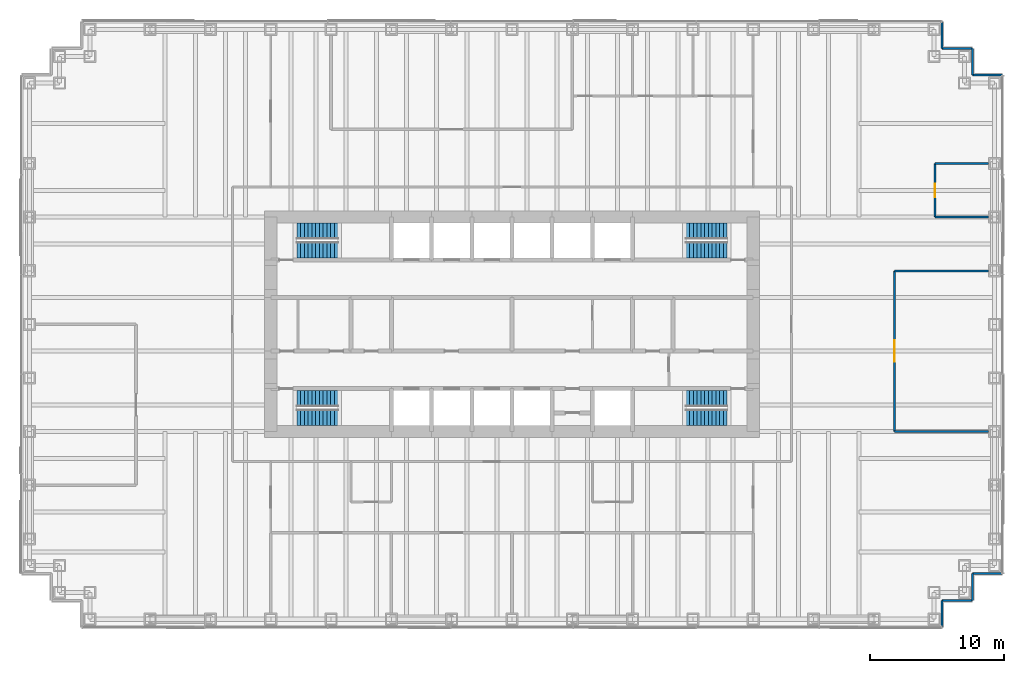
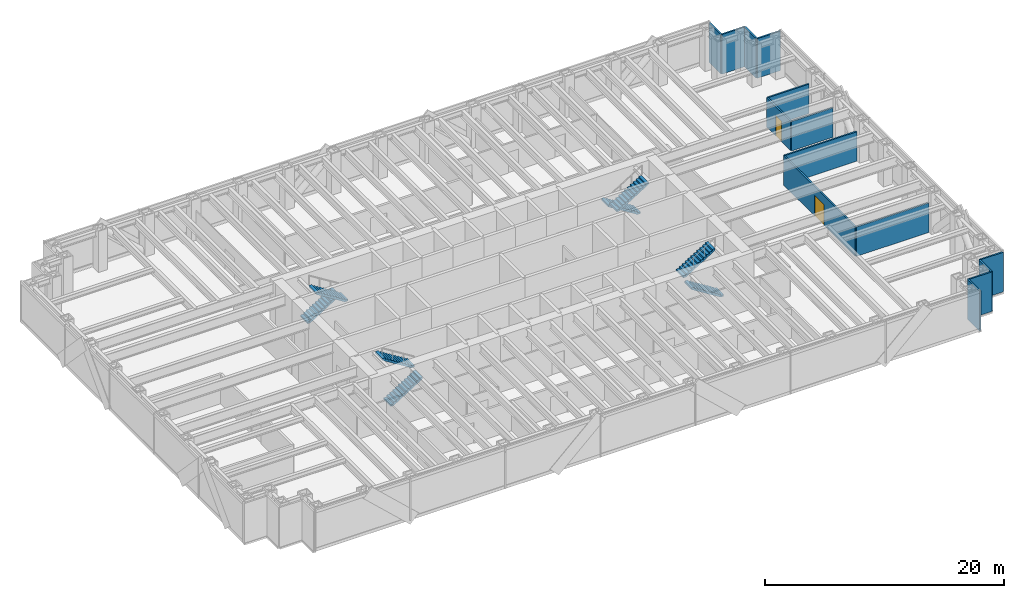
# One storey, part 14 of 15: 14 walls, 8 stair flights, 2 doors, 2 openings, 4 elements without a shape of their own.
"""IFC4 building model written with IfcOpenShell, lengths in metres."""

from ifc_helpers import new_model, si_unit, direction, frame, frame_2d, origin, place, context, subcontext, project, spatial, polyline, rectangle, outline, extrude, material, layer, layer_set, type_object, element, fill, aggregate, save


model = new_model("IFC4")

# Units and contexts
model_context = context("Model", 3, precision=1e-05, world=origin(), true_north=direction((0.0, 1.0)))
body_context = subcontext(model_context, "Body", "Model", "MODEL_VIEW")
ifc_project = project(units=[si_unit("LENGTHUNIT", "METRE"), si_unit("AREAUNIT", "SQUARE_METRE"), si_unit("VOLUMEUNIT", "CUBIC_METRE"), si_unit("PLANEANGLEUNIT", "RADIAN"), si_unit("MASSUNIT", "GRAM", prefix="KILO")], contexts=[model_context])

# Site, building, storey
site_placement = place(None, origin())
site = spatial("IfcSite", under=ifc_project, at=site_placement, CompositionType="ELEMENT")
building_placement = place(site_placement, origin())
building = spatial("IfcBuilding", under=site, at=building_placement, Name="Rheinbord Bourse Tower", CompositionType="ELEMENT")
storey_placement = place(building_placement, frame((0.0, 0.0, 146.699951171875)))
storey = spatial("IfcBuildingStorey", under=building, at=storey_placement, Name="L32", CompositionType="ELEMENT", Elevation=146.699951171875)

# Walls
ifc_material_1 = material(Name="Black metal rainscreen panel", Category="aluminium")
ifc_layer_1 = layer(ifc_material_1, 0.14990234375)
ifc_layer_set_1 = layer_set([ifc_layer_1], Name="CORNER PIER CLADDING 150")
wall_type_1 = type_object("IfcWallType", Name="CORNER PIER CLADDING 150", PredefinedType="ELEMENTEDWALL", material=ifc_layer_set_1)
wall_1_placement = place(storey_placement, frame((68.10009765625, 1.39990234375, 0.0), z_axis=(0.0, 0.0, 1.0), x_axis=(0.0, 1.0, 0.0)))
element("IfcWall", 1, at=wall_1_placement, inside=storey, type_object=wall_type_1, Name="Corner pier cladding L32 2", PredefinedType="ELEMENTEDWALL", context=body_context, shape_type="SweptSolid", body=[
    extrude(rectangle(XDim=2.0, YDim=0.14990234375, at=frame_2d((1.0, 0.0))), origin(), (0.0, 0.0, 1.0), 4.0400390625),
])
wall_2_placement = place(storey_placement, frame((68.10009765625, 3.39990234375, 0.0), z_axis=(0.0, 0.0, 1.0), x_axis=(1.0, 0.0, 0.0)))
element("IfcWall", 2, at=wall_2_placement, inside=storey, type_object=wall_type_1, Name="Corner pier cladding L32 3", PredefinedType="ELEMENTEDWALL", context=body_context, shape_type="SweptSolid", body=[
    extrude(rectangle(XDim=2.25, YDim=0.14990234375, at=frame_2d((1.125, 0.0))), origin(), (0.0, 0.0, 1.0), 4.0400390625),
])
wall_3_placement = place(storey_placement, frame((70.35009765625, 3.39990234375, 0.0), z_axis=(0.0, 0.0, 1.0), x_axis=(0.0, 1.0, 0.0)))
element("IfcWall", 3, at=wall_3_placement, inside=storey, type_object=wall_type_1, Name="Corner pier cladding L32 4", PredefinedType="ELEMENTEDWALL", context=body_context, shape_type="SweptSolid", body=[
    extrude(rectangle(XDim=2.0, YDim=0.14990234375, at=frame_2d((1.0, 0.0))), origin(), (0.0, 0.0, 1.0), 4.0400390625),
])
for number, where, z_axis, x_axis, name in (
    (4, (70.35009765625, 5.39990234375, 0.0), (0.0, 0.0, 1.0), (1.0, 0.0, 0.0), "Corner pier cladding L32 5"),
    (5, (72.60009765625, 42.60009765625, 0.0), (0.0, 0.0, 1.0), (-1.0, 0.0, 0.0), "Corner pier cladding L32 7"),
):
    element("IfcWall", number, at=place(storey_placement, frame(where, z_axis=z_axis, x_axis=x_axis)), inside=storey, type_object=wall_type_1, Name=name, PredefinedType="ELEMENTEDWALL", context=body_context, shape_type="SweptSolid", body=[
        extrude(rectangle(XDim=2.25, YDim=0.14990234375, at=frame_2d((1.125, 0.0))), origin(), (0.0, 0.0, 1.0), 4.0400390625),
    ])
wall_4_placement = place(storey_placement, frame((70.35009765625, 42.60009765625, 0.0), z_axis=(0.0, 0.0, 1.0), x_axis=(0.0, 1.0, 0.0)))
element("IfcWall", 6, at=wall_4_placement, inside=storey, type_object=wall_type_1, Name="Corner pier cladding L32 8", PredefinedType="ELEMENTEDWALL", context=body_context, shape_type="SweptSolid", body=[
    extrude(rectangle(XDim=2.0, YDim=0.14990234375, at=frame_2d((1.0, 0.0))), origin(), (0.0, 0.0, 1.0), 4.0400390625),
])
wall_5_placement = place(storey_placement, frame((70.35009765625, 44.60009765625, 0.0), z_axis=(0.0, 0.0, 1.0), x_axis=(-1.0, 0.0, 0.0)))
element("IfcWall", 7, at=wall_5_placement, inside=storey, type_object=wall_type_1, Name="Corner pier cladding L32 9", PredefinedType="ELEMENTEDWALL", context=body_context, shape_type="SweptSolid", body=[
    extrude(rectangle(XDim=2.25, YDim=0.14990234375, at=frame_2d((1.125, 0.0))), origin(), (0.0, 0.0, 1.0), 4.0400390625),
])
wall_6_placement = place(storey_placement, frame((68.10009765625, 44.60009765625, 0.0), z_axis=(0.0, 0.0, 1.0), x_axis=(0.0, 1.0, 0.0)))
element("IfcWall", 8, at=wall_6_placement, inside=storey, type_object=wall_type_1, Name="Corner pier cladding L32 10", PredefinedType="ELEMENTEDWALL", context=body_context, shape_type="SweptSolid", body=[
    extrude(rectangle(XDim=2.0, YDim=0.14990234375, at=frame_2d((1.0, 0.0))), origin(), (0.0, 0.0, 1.0), 4.0400390625),
])
ifc_material_2 = material(Name="Gypsum board partition", Category="gypsum board")
ifc_layer_2 = layer(ifc_material_2, 0.14990234375)
ifc_layer_set_2 = layer_set([ifc_layer_2], Name="PARTITION 150")
wall_type_2 = type_object("IfcWallType", Name="PARTITION 150", PredefinedType="PARTITIONING", material=ifc_layer_set_2)
for number, where, z_axis, x_axis, name in (
    (9, (64.550048828125, 16.0, 0.0), (0.0, 0.0, 1.0), (1.0, 0.0, 0.0), "Partition L32-06"),
    (10, (64.550048828125, 28.0, 0.0), (0.0, 0.0, 1.0), (1.0, 0.0, 0.0), "Partition L32-08"),
):
    element("IfcWall", number, at=place(storey_placement, frame(where, z_axis=z_axis, x_axis=x_axis)), inside=storey, type_object=wall_type_2, Name=name, PredefinedType="PARTITIONING", context=body_context, shape_type="SweptSolid", body=[
        extrude(rectangle(XDim=7.0, YDim=0.14990234375, at=frame_2d((3.5, 0.0))), origin(), (0.0, 0.0, 1.0), 3.0),
    ])
for number, where, z_axis, x_axis, name in (
    (11, (67.550048828125, 32.0, 0.0), (0.0, 0.0, 1.0), (1.0, 0.0, 0.0), "Partition L32-09"),
    (12, (67.550048828125, 36.0, 0.0), (0.0, 0.0, 1.0), (1.0, 0.0, 0.0), "Partition L32-11"),
):
    element("IfcWall", number, at=place(storey_placement, frame(where, z_axis=z_axis, x_axis=x_axis)), inside=storey, type_object=wall_type_2, Name=name, PredefinedType="PARTITIONING", context=body_context, shape_type="SweptSolid", body=[
        extrude(rectangle(XDim=4.0, YDim=0.14990234375, at=frame_2d((2.0, 0.0))), origin(), (0.0, 0.0, 1.0), 3.0),
    ])

# Wall, opening, door
wall_7_placement = place(storey_placement, frame((64.550048828125, 16.0, 0.0), z_axis=(0.0, 0.0, 1.0), x_axis=(0.0, 1.0, 0.0)))
wall_7 = element("IfcWall", 13, at=wall_7_placement, inside=storey, type_object=wall_type_2, Name="Partition L32-35", PredefinedType="PARTITIONING", context=body_context, shape_type="SweptSolid", body=[
    extrude(rectangle(XDim=12.0, YDim=0.14990234375, at=frame_2d((6.0, 0.0))), origin(), (0.0, 0.0, 1.0), 3.0),
])
opening_1_placement = place(wall_7_placement, frame((5.199951171875, 0.0, 0.0)))
opening_1 = element("IfcOpeningElement", 14, at=opening_1_placement, cuts=wall_7, Name="Opening 32D08", PredefinedType="OPENING", context=body_context, shape_type="SweptSolid", body=[
    extrude(rectangle(XDim=1.60009765625, YDim=2.10009765625, at=frame_2d((0.800048828125, 1.050048828125))), frame((0.0, 0.0849609375, 0.0), z_axis=(0.0, -1.0, 0.0), x_axis=(1.0, 0.0, 0.0)), (0.0, 0.0, 1.0), 0.169921875),
])
ifc_material_3 = material(Name="Timber door", Category="wood")
door_type_1 = type_object("IfcDoorType", Name="DOUBLE ROOM DOOR 1600", OperationType="DOUBLE_DOOR_DOUBLE_SWING", PredefinedType="DOOR", material=ifc_material_3)
door_1_placement = place(opening_1_placement, origin())
door_1 = element("IfcDoor", 15, at=door_1_placement, inside=storey, type_object=door_type_1, Name="Student lounge door L32", OperationType="SINGLE_SWING_LEFT", OverallHeight=2.10009765625, OverallWidth=1.60009765625, PredefinedType="DOOR", context=body_context, shape_type="SweptSolid", body=[
    extrude(rectangle(XDim=1.60009765625, YDim=2.10009765625, at=frame_2d((0.800048828125, 1.050048828125))), frame((0.0, 0.02490234375, 0.0), z_axis=(0.0, -1.0, 0.0), x_axis=(1.0, 0.0, 0.0)), (0.0, 0.0, 1.0), 0.050048828125),
])
fill(opening_1, door_1)

wall_8_placement = place(storey_placement, frame((67.550048828125, 32.0, 0.0), z_axis=(0.0, 0.0, 1.0), x_axis=(0.0, 1.0, 0.0)))
wall_8 = element("IfcWall", 16, at=wall_8_placement, inside=storey, type_object=wall_type_2, Name="Partition L32-36", PredefinedType="PARTITIONING", context=body_context, shape_type="SweptSolid", body=[
    extrude(rectangle(XDim=4.0, YDim=0.14990234375, at=frame_2d((2.0, 0.0))), origin(), (0.0, 0.0, 1.0), 3.0),
])
opening_2_placement = place(wall_8_placement, frame((1.5, 0.0, 0.0)))
opening_2 = element("IfcOpeningElement", 17, at=opening_2_placement, cuts=wall_8, Name="Opening 32D09", PredefinedType="OPENING", context=body_context, shape_type="SweptSolid", body=[
    extrude(rectangle(XDim=1.0, YDim=2.10009765625, at=frame_2d((0.5, 1.050048828125))), frame((0.0, 0.0849609375, 0.0), z_axis=(0.0, -1.0, 0.0), x_axis=(1.0, 0.0, 0.0)), (0.0, 0.0, 1.0), 0.169921875),
])
ifc_material_4 = material(Name="Timber door", Category="wood")
door_type_2 = type_object("IfcDoorType", Name="ROOM DOOR 1000", OperationType="SINGLE_SWING_LEFT", PredefinedType="DOOR", material=ifc_material_4)
door_2_placement = place(opening_2_placement, origin())
door_2 = element("IfcDoor", 18, at=door_2_placement, inside=storey, type_object=door_type_2, Name="Store door L32", OperationType="SINGLE_SWING_LEFT", OverallHeight=2.10009765625, OverallWidth=1.0, PredefinedType="DOOR", context=body_context, shape_type="SweptSolid", body=[
    extrude(rectangle(XDim=1.0, YDim=2.10009765625, at=frame_2d((0.5, 1.050048828125))), frame((0.0, 0.02490234375, 0.0), z_axis=(0.0, -1.0, 0.0), x_axis=(1.0, 0.0, 0.0)), (0.0, 0.0, 1.0), 0.050048828125),
])
fill(opening_2, door_2)

# Stair, stair flights
ifc_material_5 = material(Name="Concrete C30/37", Category="concrete")
stair_type = type_object("IfcStairType", Name="CORE STAIR HALF TURN 4200", PredefinedType="HALF_TURN_STAIR", material=ifc_material_5)
stair_1_placement = place(storey_placement, origin())
stair_1 = element("IfcStair", 19, at=stair_1_placement, inside=storey, type_object=stair_type, Name="Stair ST1 L32, type CS6", PredefinedType="HALF_TURN_STAIR")
ifc_material_6 = material(Name="Concrete C30/37", Category="concrete")
stair_flight_type = type_object("IfcStairFlightType", Name="CORE STAIR FLIGHT 1200, 12 RISERS", PredefinedType="STRAIGHT", material=ifc_material_6)
stair_flight_1_placement = place(storey_placement, frame((19.949951171875, 17.050048828125, 0.0), z_axis=(0.0, 0.0, 1.0), x_axis=(1.0, 0.0, 0.0)))
stair_flight_1 = element("IfcStairFlight", 20, at=stair_flight_1_placement, type_object=stair_flight_type, Name="STAIR L32 ST1 F1", NumberOfRisers=12, NumberOfTreads=11, PredefinedType="STRAIGHT", RiserHeight=0.175, TreadLength=0.28, context=body_context, shape_type="SweptSolid", body=[
    extrude(outline(polyline([(0.0, 0.0), (0.0, 0.175048828125), (0.280029296875, 0.175048828125), (0.280029296875, 0.35009765625), (0.56005859375, 0.35009765625), (0.56005859375, 0.52490234375), (0.840087890625, 0.52490234375), (0.840087890625, 0.699951171875), (1.1201171875, 0.699951171875), (1.1201171875, 0.875), (1.39990234375, 0.875), (1.39990234375, 1.050048828125), (1.679931640625, 1.050048828125), (1.679931640625, 1.22509765625), (1.9599609375, 1.22509765625), (1.9599609375, 1.39990234375), (2.239990234375, 1.39990234375), (2.239990234375, 1.574951171875), (2.52001953125, 1.574951171875), (2.52001953125, 1.75), (2.800048828125, 1.75), (2.800048828125, 1.925048828125), (3.080078125, 1.925048828125), (3.080078125, 2.10009765625), (3.080078125, 1.748291015625), (0.28271484375, 0.0), (0.0, 0.0)])), frame((0.0, 0.60009765625, 0.0), z_axis=(0.0, -1.0, 0.0), x_axis=(1.0, 0.0, 0.0)), (0.0, 0.0, 1.0), 1.199951171875),
])
stair_flight_2_placement = place(storey_placement, frame((23.030029296875, 18.449951171875, 2.10009765625), z_axis=(0.0, 0.0, 1.0), x_axis=(-1.0, 0.0, 0.0)))
stair_flight_2 = element("IfcStairFlight", 21, at=stair_flight_2_placement, type_object=stair_flight_type, Name="STAIR L32 ST1 F2", NumberOfRisers=12, NumberOfTreads=11, PredefinedType="STRAIGHT", RiserHeight=0.175, TreadLength=0.28, context=body_context, shape_type="SweptSolid", body=[
    extrude(outline(polyline([(0.0, 0.0), (0.0, 0.175048828125), (0.280029296875, 0.175048828125), (0.280029296875, 0.35009765625), (0.56005859375, 0.35009765625), (0.56005859375, 0.52490234375), (0.840087890625, 0.52490234375), (0.840087890625, 0.699951171875), (1.1201171875, 0.699951171875), (1.1201171875, 0.875), (1.39990234375, 0.875), (1.39990234375, 1.050048828125), (1.679931640625, 1.050048828125), (1.679931640625, 1.22509765625), (1.9599609375, 1.22509765625), (1.9599609375, 1.39990234375), (2.239990234375, 1.39990234375), (2.239990234375, 1.574951171875), (2.52001953125, 1.574951171875), (2.52001953125, 1.75), (2.800048828125, 1.75), (2.800048828125, 1.925048828125), (3.080078125, 1.925048828125), (3.080078125, 2.10009765625), (3.080078125, 1.748291015625), (0.28271484375, 0.0), (0.0, 0.0)])), frame((0.0, 0.60009765625, 0.0), z_axis=(0.0, -1.0, 0.0), x_axis=(1.0, 0.0, 0.0)), (0.0, 0.0, 1.0), 1.199951171875),
])
aggregate(stair_1, [stair_flight_1, stair_flight_2])

stair_2_placement = place(storey_placement, origin())
stair_2 = element("IfcStair", 22, at=stair_2_placement, inside=storey, type_object=stair_type, Name="Stair ST2 L32, type CS6", PredefinedType="HALF_TURN_STAIR")
stair_flight_3_placement = place(storey_placement, frame((19.949951171875, 30.949951171875, 0.0), z_axis=(0.0, 0.0, 1.0), x_axis=(1.0, 0.0, 0.0)))
stair_flight_3 = element("IfcStairFlight", 23, at=stair_flight_3_placement, type_object=stair_flight_type, Name="STAIR L32 ST2 F1", NumberOfRisers=12, NumberOfTreads=11, PredefinedType="STRAIGHT", RiserHeight=0.175, TreadLength=0.28, context=body_context, shape_type="SweptSolid", body=[
    extrude(outline(polyline([(0.0, 0.0), (0.0, 0.175048828125), (0.280029296875, 0.175048828125), (0.280029296875, 0.35009765625), (0.56005859375, 0.35009765625), (0.56005859375, 0.52490234375), (0.840087890625, 0.52490234375), (0.840087890625, 0.699951171875), (1.1201171875, 0.699951171875), (1.1201171875, 0.875), (1.39990234375, 0.875), (1.39990234375, 1.050048828125), (1.679931640625, 1.050048828125), (1.679931640625, 1.22509765625), (1.9599609375, 1.22509765625), (1.9599609375, 1.39990234375), (2.239990234375, 1.39990234375), (2.239990234375, 1.574951171875), (2.52001953125, 1.574951171875), (2.52001953125, 1.75), (2.800048828125, 1.75), (2.800048828125, 1.925048828125), (3.080078125, 1.925048828125), (3.080078125, 2.10009765625), (3.080078125, 1.748291015625), (0.28271484375, 0.0), (0.0, 0.0)])), frame((0.0, 0.60009765625, 0.0), z_axis=(0.0, -1.0, 0.0), x_axis=(1.0, 0.0, 0.0)), (0.0, 0.0, 1.0), 1.199951171875),
])
stair_flight_4_placement = place(storey_placement, frame((23.030029296875, 29.550048828125, 2.10009765625), z_axis=(0.0, 0.0, 1.0), x_axis=(-1.0, 0.0, 0.0)))
stair_flight_4 = element("IfcStairFlight", 24, at=stair_flight_4_placement, type_object=stair_flight_type, Name="STAIR L32 ST2 F2", NumberOfRisers=12, NumberOfTreads=11, PredefinedType="STRAIGHT", RiserHeight=0.175, TreadLength=0.28, context=body_context, shape_type="SweptSolid", body=[
    extrude(outline(polyline([(0.0, 0.0), (0.0, 0.175048828125), (0.280029296875, 0.175048828125), (0.280029296875, 0.35009765625), (0.56005859375, 0.35009765625), (0.56005859375, 0.52490234375), (0.840087890625, 0.52490234375), (0.840087890625, 0.699951171875), (1.1201171875, 0.699951171875), (1.1201171875, 0.875), (1.39990234375, 0.875), (1.39990234375, 1.050048828125), (1.679931640625, 1.050048828125), (1.679931640625, 1.22509765625), (1.9599609375, 1.22509765625), (1.9599609375, 1.39990234375), (2.239990234375, 1.39990234375), (2.239990234375, 1.574951171875), (2.52001953125, 1.574951171875), (2.52001953125, 1.75), (2.800048828125, 1.75), (2.800048828125, 1.925048828125), (3.080078125, 1.925048828125), (3.080078125, 2.10009765625), (3.080078125, 1.748291015625), (0.28271484375, 0.0), (0.0, 0.0)])), frame((0.0, 0.60009765625, 0.0), z_axis=(0.0, -1.0, 0.0), x_axis=(1.0, 0.0, 0.0)), (0.0, 0.0, 1.0), 1.199951171875),
])
aggregate(stair_2, [stair_flight_3, stair_flight_4])

stair_3_placement = place(storey_placement, origin())
stair_3 = element("IfcStair", 25, at=stair_3_placement, inside=storey, type_object=stair_type, Name="Stair ST3 L32, type CS6", PredefinedType="HALF_TURN_STAIR")
stair_flight_5_placement = place(storey_placement, frame((52.050048828125, 17.050048828125, 0.0), z_axis=(0.0, 0.0, 1.0), x_axis=(-1.0, 0.0, 0.0)))
stair_flight_5 = element("IfcStairFlight", 26, at=stair_flight_5_placement, type_object=stair_flight_type, Name="STAIR L32 ST3 F1", NumberOfRisers=12, NumberOfTreads=11, PredefinedType="STRAIGHT", RiserHeight=0.175, TreadLength=0.28, context=body_context, shape_type="SweptSolid", body=[
    extrude(outline(polyline([(0.0, 0.0), (0.0, 0.175048828125), (0.280029296875, 0.175048828125), (0.280029296875, 0.35009765625), (0.56005859375, 0.35009765625), (0.56005859375, 0.52490234375), (0.840087890625, 0.52490234375), (0.840087890625, 0.699951171875), (1.1201171875, 0.699951171875), (1.1201171875, 0.875), (1.39990234375, 0.875), (1.39990234375, 1.050048828125), (1.679931640625, 1.050048828125), (1.679931640625, 1.22509765625), (1.9599609375, 1.22509765625), (1.9599609375, 1.39990234375), (2.239990234375, 1.39990234375), (2.239990234375, 1.574951171875), (2.52001953125, 1.574951171875), (2.52001953125, 1.75), (2.800048828125, 1.75), (2.800048828125, 1.925048828125), (3.080078125, 1.925048828125), (3.080078125, 2.10009765625), (3.080078125, 1.748291015625), (0.28271484375, 0.0), (0.0, 0.0)])), frame((0.0, 0.60009765625, 0.0), z_axis=(0.0, -1.0, 0.0), x_axis=(1.0, 0.0, 0.0)), (0.0, 0.0, 1.0), 1.199951171875),
])
stair_flight_6_placement = place(storey_placement, frame((48.969970703125, 18.449951171875, 2.10009765625), z_axis=(0.0, 0.0, 1.0), x_axis=(1.0, 0.0, 0.0)))
stair_flight_6 = element("IfcStairFlight", 27, at=stair_flight_6_placement, type_object=stair_flight_type, Name="STAIR L32 ST3 F2", NumberOfRisers=12, NumberOfTreads=11, PredefinedType="STRAIGHT", RiserHeight=0.175, TreadLength=0.28, context=body_context, shape_type="SweptSolid", body=[
    extrude(outline(polyline([(0.0, 0.0), (0.0, 0.175048828125), (0.280029296875, 0.175048828125), (0.280029296875, 0.35009765625), (0.56005859375, 0.35009765625), (0.56005859375, 0.52490234375), (0.840087890625, 0.52490234375), (0.840087890625, 0.699951171875), (1.1201171875, 0.699951171875), (1.1201171875, 0.875), (1.39990234375, 0.875), (1.39990234375, 1.050048828125), (1.679931640625, 1.050048828125), (1.679931640625, 1.22509765625), (1.9599609375, 1.22509765625), (1.9599609375, 1.39990234375), (2.239990234375, 1.39990234375), (2.239990234375, 1.574951171875), (2.52001953125, 1.574951171875), (2.52001953125, 1.75), (2.800048828125, 1.75), (2.800048828125, 1.925048828125), (3.080078125, 1.925048828125), (3.080078125, 2.10009765625), (3.080078125, 1.748291015625), (0.28271484375, 0.0), (0.0, 0.0)])), frame((0.0, 0.60009765625, 0.0), z_axis=(0.0, -1.0, 0.0), x_axis=(1.0, 0.0, 0.0)), (0.0, 0.0, 1.0), 1.199951171875),
])
aggregate(stair_3, [stair_flight_5, stair_flight_6])

stair_4_placement = place(storey_placement, origin())
stair_4 = element("IfcStair", 28, at=stair_4_placement, inside=storey, type_object=stair_type, Name="Stair ST4 L32, type CS6", PredefinedType="HALF_TURN_STAIR")
stair_flight_7_placement = place(storey_placement, frame((52.050048828125, 30.949951171875, 0.0), z_axis=(0.0, 0.0, 1.0), x_axis=(-1.0, 0.0, 0.0)))
stair_flight_7 = element("IfcStairFlight", 29, at=stair_flight_7_placement, type_object=stair_flight_type, Name="STAIR L32 ST4 F1", NumberOfRisers=12, NumberOfTreads=11, PredefinedType="STRAIGHT", RiserHeight=0.175, TreadLength=0.28, context=body_context, shape_type="SweptSolid", body=[
    extrude(outline(polyline([(0.0, 0.0), (0.0, 0.175048828125), (0.280029296875, 0.175048828125), (0.280029296875, 0.35009765625), (0.56005859375, 0.35009765625), (0.56005859375, 0.52490234375), (0.840087890625, 0.52490234375), (0.840087890625, 0.699951171875), (1.1201171875, 0.699951171875), (1.1201171875, 0.875), (1.39990234375, 0.875), (1.39990234375, 1.050048828125), (1.679931640625, 1.050048828125), (1.679931640625, 1.22509765625), (1.9599609375, 1.22509765625), (1.9599609375, 1.39990234375), (2.239990234375, 1.39990234375), (2.239990234375, 1.574951171875), (2.52001953125, 1.574951171875), (2.52001953125, 1.75), (2.800048828125, 1.75), (2.800048828125, 1.925048828125), (3.080078125, 1.925048828125), (3.080078125, 2.10009765625), (3.080078125, 1.748291015625), (0.28271484375, 0.0), (0.0, 0.0)])), frame((0.0, 0.60009765625, 0.0), z_axis=(0.0, -1.0, 0.0), x_axis=(1.0, 0.0, 0.0)), (0.0, 0.0, 1.0), 1.199951171875),
])
stair_flight_8_placement = place(storey_placement, frame((48.969970703125, 29.550048828125, 2.10009765625), z_axis=(0.0, 0.0, 1.0), x_axis=(1.0, 0.0, 0.0)))
stair_flight_8 = element("IfcStairFlight", 30, at=stair_flight_8_placement, type_object=stair_flight_type, Name="STAIR L32 ST4 F2", NumberOfRisers=12, NumberOfTreads=11, PredefinedType="STRAIGHT", RiserHeight=0.175, TreadLength=0.28, context=body_context, shape_type="SweptSolid", body=[
    extrude(outline(polyline([(0.0, 0.0), (0.0, 0.175048828125), (0.280029296875, 0.175048828125), (0.280029296875, 0.35009765625), (0.56005859375, 0.35009765625), (0.56005859375, 0.52490234375), (0.840087890625, 0.52490234375), (0.840087890625, 0.699951171875), (1.1201171875, 0.699951171875), (1.1201171875, 0.875), (1.39990234375, 0.875), (1.39990234375, 1.050048828125), (1.679931640625, 1.050048828125), (1.679931640625, 1.22509765625), (1.9599609375, 1.22509765625), (1.9599609375, 1.39990234375), (2.239990234375, 1.39990234375), (2.239990234375, 1.574951171875), (2.52001953125, 1.574951171875), (2.52001953125, 1.75), (2.800048828125, 1.75), (2.800048828125, 1.925048828125), (3.080078125, 1.925048828125), (3.080078125, 2.10009765625), (3.080078125, 1.748291015625), (0.28271484375, 0.0), (0.0, 0.0)])), frame((0.0, 0.60009765625, 0.0), z_axis=(0.0, -1.0, 0.0), x_axis=(1.0, 0.0, 0.0)), (0.0, 0.0, 1.0), 1.199951171875),
])
aggregate(stair_4, [stair_flight_7, stair_flight_8])

save(model, "model.ifc")
